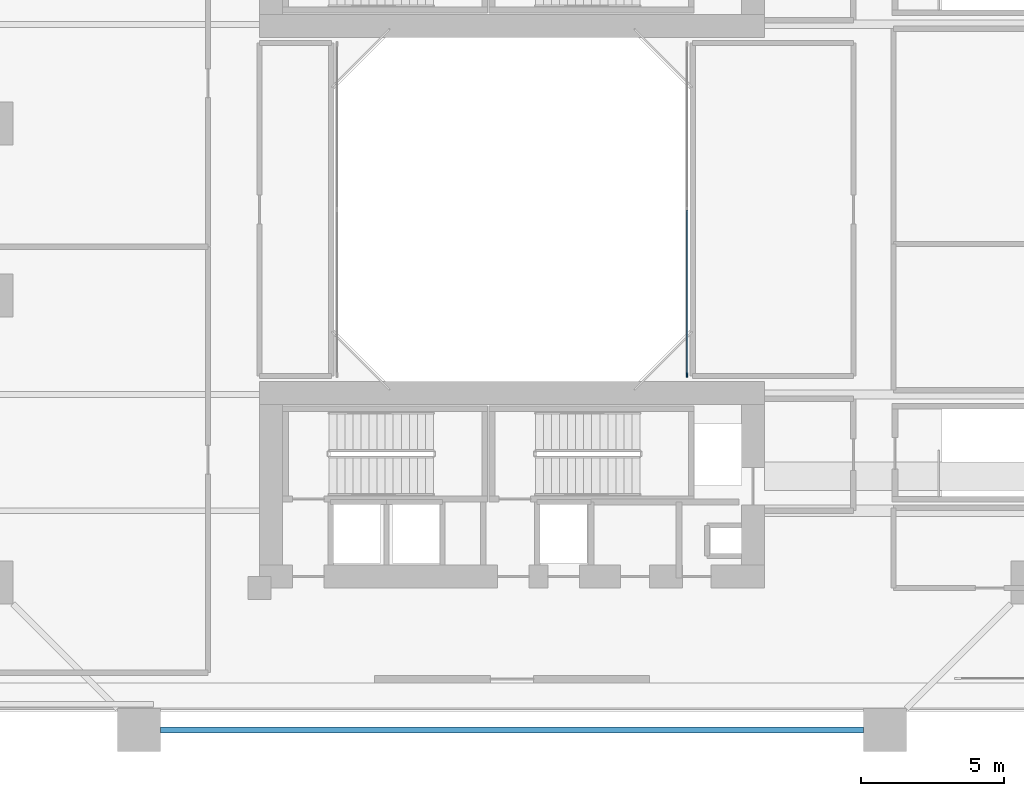
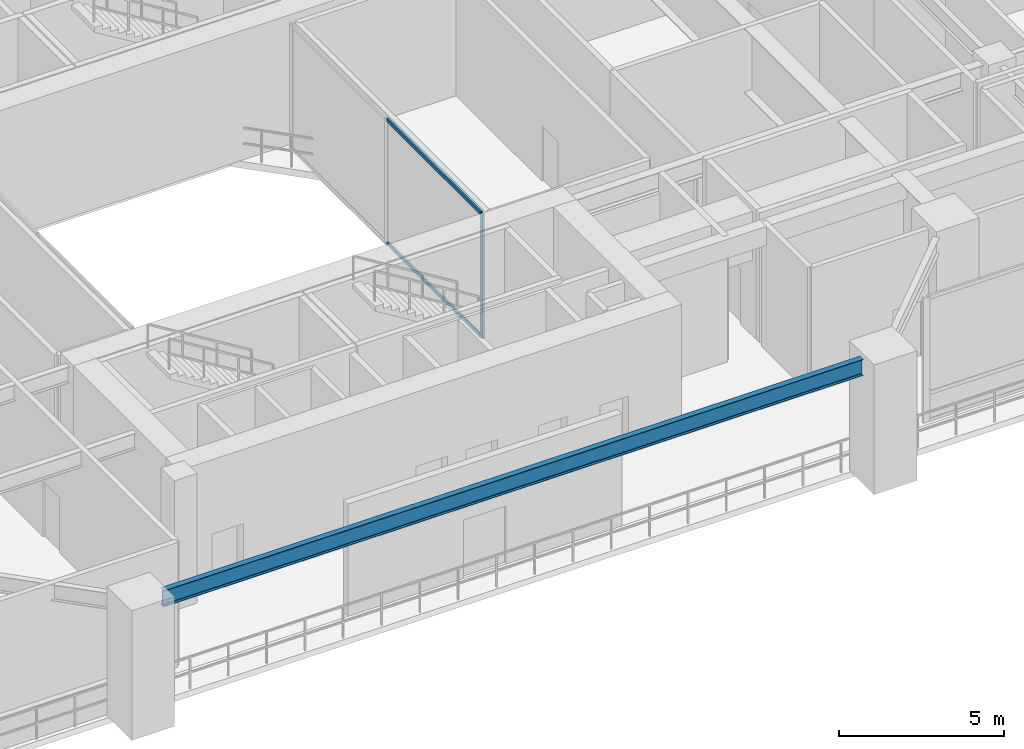
# One storey, part 3 of 19: 3 members, 1 beam, 1 element without a shape of its own.
"""IFC4 building model written with IfcOpenShell, lengths in metres."""

from ifc_helpers import new_model, si_unit, direction, frame, origin, origin_2d, place, context, subcontext, project, spatial, rectangle, i_section, extrude, source, transform, mapped, material, layer, layer_set, material_profile, profile_set, type_object, element, aggregate, save


model = new_model("IFC4")

# Units and contexts
model_context = context("Model", 3, precision=1e-05, world=origin(), true_north=direction((0.0, 1.0)))
body_context = subcontext(model_context, "Body", "Model", "MODEL_VIEW")
ifc_project = project(units=[si_unit("LENGTHUNIT", "METRE"), si_unit("AREAUNIT", "SQUARE_METRE"), si_unit("VOLUMEUNIT", "CUBIC_METRE"), si_unit("PLANEANGLEUNIT", "RADIAN"), si_unit("MASSUNIT", "GRAM", prefix="KILO"), si_unit("THERMODYNAMICTEMPERATUREUNIT", "KELVIN"), si_unit("POWERUNIT", "WATT")], contexts=[model_context])

# Site, building, storey
site_placement = place(None, origin())
site = spatial("IfcSite", under=ifc_project, at=site_placement, CompositionType="ELEMENT")
building_placement = place(site_placement, origin())
building = spatial("IfcBuilding", under=site, at=building_placement, Name="Qiaomeng Ring Towers", CompositionType="ELEMENT")
storey_placement = place(building_placement, frame((0.0, 0.0, 18.199951171875)))
storey = spatial("IfcBuildingStorey", under=building, at=storey_placement, Name="L04", CompositionType="ELEMENT", Elevation=18.199951171875)

# Beam
ifc_material_1 = material(Name="Steel Q355B", Category="steel")
ifc_material_profile_1 = material_profile(ifc_material_1, i_section(OverallWidth=0.199951171875, OverallDepth=0.60009765625, WebThickness=0.010986328125, FlangeThickness=0.01708984375, FilletRadius=0.02197265625, at=origin_2d()), Name="HN 600x200x11x17")
ifc_profile_set_1 = profile_set([ifc_material_profile_1], Name="Steel Q355B")
beam_type = type_object("IfcBeamType", Name="STR-BM-HN600", PredefinedType="BEAM", material=ifc_profile_set_1)
shared_shape_1 = source(origin(), body_context, "Body", "SweptSolid", [
    extrude(i_section(OverallWidth=0.199951171875, OverallDepth=0.60009765625, WebThickness=0.010986328125, FlangeThickness=0.01708984375, FilletRadius=0.02197265625, at=origin_2d()), origin(), (0.0, 0.0, 1.0), 24.501953125),
])
beam_placement = place(storey_placement, frame((6.7490234375, 4.85009765625, 4.320068359375), z_axis=(1.0, 0.0, 0.0), x_axis=(0.0, 1.0, 0.0)))
element("IfcBeam", 1, at=beam_placement, inside=storey, type_object=beam_type, Name="L04 beam STR-SP-L04-T1-1", PredefinedType="BEAM", context=body_context, shape_type="MappedRepresentation", body=[
    mapped(shared_shape_1, transform((0.0, 0.0, 0.0), x_axis=(1.0, 0.0, 0.0), y_axis=(0.0, 1.0, 0.0), z_axis=(0.0, 0.0, 1.0), scale=1.0)),
])

# Curtain wall, members
ifc_material_2 = material(Name="Fluorocarbon dark-grey aluminium", Category="aluminium")
ifc_layer = layer(ifc_material_2, 0.139892578125, Name="Fluorocarbon dark-grey aluminium")
ifc_layer_set = layer_set([ifc_layer], Name="Fluorocarbon dark-grey aluminium")
curtain_wall_type = type_object("IfcCurtainWallType", Name="ARC-CW-4", PredefinedType="NOTDEFINED", material=ifc_layer_set)
curtain_wall_placement = place(storey_placement, origin())
curtain_wall = element("IfcCurtainWall", 2, at=curtain_wall_placement, inside=storey, type_object=curtain_wall_type, Name="L04 Curtain Wall CW4", PredefinedType="NOTDEFINED")
ifc_material_profile_2 = material_profile(ifc_material_2, rectangle(XDim=0.06494140625, YDim=0.1298828125, at=origin_2d()), Name="ALU TRAN 65x130")
ifc_profile_set_2 = profile_set([ifc_material_profile_2], Name="Fluorocarbon dark-grey aluminium")
member_type_1 = type_object("IfcMemberType", Name="ARC-CWT-120", PredefinedType="USERDEFINED", material=ifc_profile_set_2)
shared_shape_2 = source(origin(), body_context, "Body", "SweptSolid", [
    extrude(rectangle(XDim=0.06494140625, YDim=0.1298828125, at=origin_2d()), origin(), (0.0, 0.0, 1.0), 5.70263671875),
])
member_1_placement = place(storey_placement, frame((25.10009765625, 17.264892578125, 0.032470703125), z_axis=(0.0, 1.0, 0.0), x_axis=(-1.0, 0.0, 0.0)))
member_1 = element("IfcMember", 3, at=member_1_placement, type_object=member_type_1, Name="CW4 transom 1.1", ObjectType="TRANSOM", PredefinedType="USERDEFINED", context=body_context, shape_type="MappedRepresentation", body=[
    mapped(shared_shape_2, transform((0.0, 0.0, 0.0), x_axis=(1.0, 0.0, 0.0), y_axis=(0.0, 1.0, 0.0), z_axis=(0.0, 0.0, 1.0), scale=1.0)),
])
member_2_placement = place(storey_placement, frame((25.10009765625, 17.264892578125, 4.587646484375), z_axis=(0.0, 1.0, 0.0), x_axis=(-1.0, 0.0, 0.0)))
member_2 = element("IfcMember", 4, at=member_2_placement, type_object=member_type_1, Name="CW4 transom 1.2", ObjectType="TRANSOM", PredefinedType="USERDEFINED", context=body_context, shape_type="MappedRepresentation", body=[
    mapped(shared_shape_2, transform((0.0, 0.0, 0.0), x_axis=(1.0, 0.0, 0.0), y_axis=(0.0, 1.0, 0.0), z_axis=(0.0, 0.0, 1.0), scale=1.0)),
])
ifc_material_profile_3 = material_profile(ifc_material_2, rectangle(XDim=0.06494140625, YDim=0.159912109375, at=origin_2d()), Name="ALU MULL 65x160")
ifc_profile_set_3 = profile_set([ifc_material_profile_3], Name="Fluorocarbon dark-grey aluminium")
member_type_2 = type_object("IfcMemberType", Name="ARC-CWM-140", PredefinedType="MULLION", material=ifc_profile_set_3)
shared_shape_3 = source(origin(), body_context, "Body", "SweptSolid", [
    extrude(rectangle(XDim=0.06494140625, YDim=0.159912109375, at=origin_2d()), origin(), (0.0, 0.0, 1.0), 4.6201171875),
])
member_3_placement = place(storey_placement, frame((25.10009765625, 17.232421875, 0.0), z_axis=(0.0, 0.0, 1.0), x_axis=(-1.0, 0.0, 0.0)))
member_3 = element("IfcMember", 5, at=member_3_placement, type_object=member_type_2, Name="CW4 mullion 1", PredefinedType="MULLION", context=body_context, shape_type="MappedRepresentation", body=[
    mapped(shared_shape_3, transform((0.0, 0.0, 0.0), x_axis=(1.0, 0.0, 0.0), y_axis=(0.0, 1.0, 0.0), z_axis=(0.0, 0.0, 1.0), scale=1.0)),
])
aggregate(curtain_wall, [member_3, member_1, member_2])

save(model, "model.ifc")
